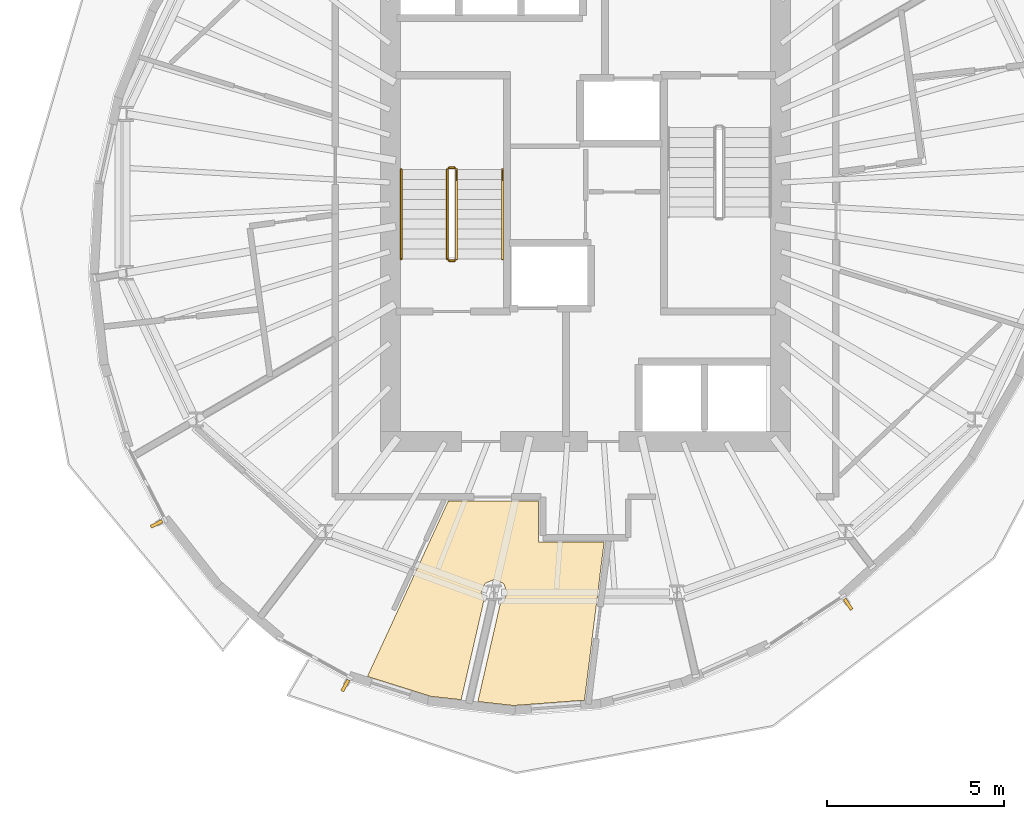
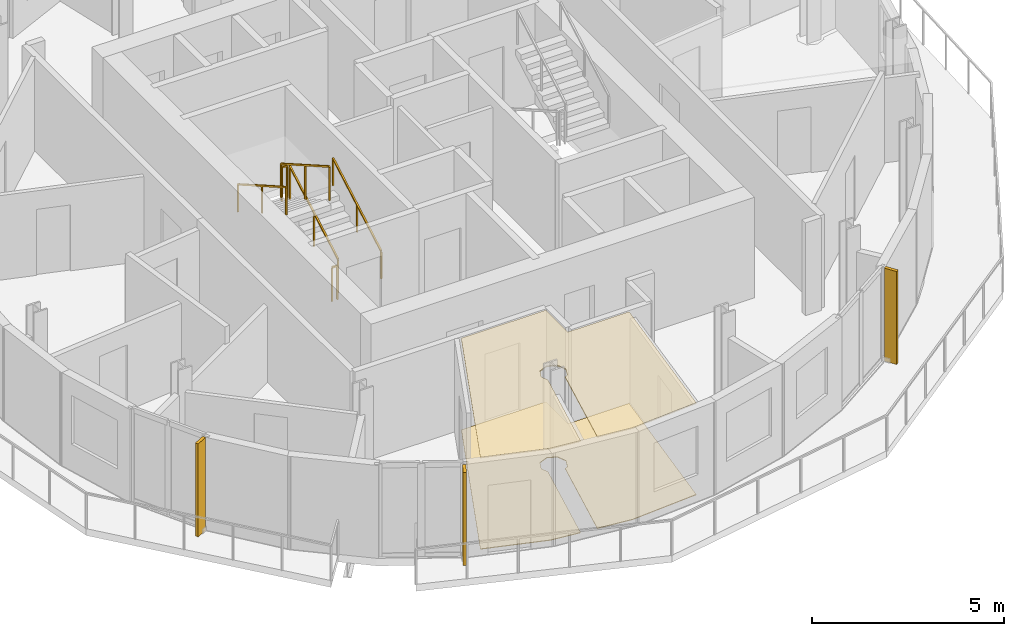
# One storey, part 8 of 11: 6 railings, 3 shading devices, 2 coverings.
"""IFC4 building model written with IfcOpenShell, lengths in metres."""

from ifc_helpers import new_model, si_unit, direction, frame, origin, origin_2d, place, context, subcontext, project, spatial, polyline, rectangle, outline, extrude, material, layer, layer_set, type_object, element, save


model = new_model("IFC4")

# Units and contexts
model_context = context("Model", 3, precision=1e-05, world=origin(), true_north=direction((0.0, 1.0)))
body_context = subcontext(model_context, "Body", "Model", "MODEL_VIEW")
ifc_project = project(units=[si_unit("LENGTHUNIT", "METRE"), si_unit("AREAUNIT", "SQUARE_METRE"), si_unit("VOLUMEUNIT", "CUBIC_METRE"), si_unit("PLANEANGLEUNIT", "RADIAN"), si_unit("MASSUNIT", "GRAM", prefix="KILO")], contexts=[model_context])

# Site, building, storey
site_placement = place(None, origin())
site = spatial("IfcSite", under=ifc_project, at=site_placement, CompositionType="ELEMENT")
building_placement = place(site_placement, origin())
building = spatial("IfcBuilding", under=site, at=building_placement, Name="Veldorim Arch Residences", CompositionType="ELEMENT")
storey_placement = place(building_placement, frame((0.0, 0.0, 220.639892578125)))
storey = spatial("IfcBuildingStorey", under=building, at=storey_placement, Name="L66", CompositionType="ELEMENT", Elevation=220.639892578125)

# Railings
ifc_material_1 = material(Name="Steel S355", Category="steel")
railing_type_1 = type_object("IfcRailingType", Name="Galvanised Steel Stair Safety Guardrail 1100", PredefinedType="GUARDRAIL", material=ifc_material_1)
railing_1_placement = place(storey_placement, frame((28.360107421875, 22.14990234375, 0.16015625)))
element("IfcRailing", 1, at=railing_1_placement, inside=storey, type_object=railing_type_1, Name="L66 ST-1 stair guard 1", PredefinedType="GUARDRAIL", context=body_context, shape_type="SweptSolid", body=[
    extrude(rectangle(XDim=0.048095703125, YDim=0.048095703125, at=origin_2d()), frame((0.0, 0.0, 1.076171875), z_axis=(0.0, 0.868253494771, 0.496120820787), x_axis=(-1.0, 0.0, 0.0)), (0.0, 0.0, 1.0), 2.90234375),
    extrude(rectangle(XDim=0.0419921875, YDim=0.0419921875, at=origin_2d()), origin(), (0.0, 0.0, 1.0), 1.052001953125),
    extrude(rectangle(XDim=0.0419921875, YDim=0.0419921875, at=origin_2d()), frame((0.0, 1.260009765625, 0.719970703125)), (0.0, 0.0, 1.0), 1.052001953125),
    extrude(rectangle(XDim=0.0419921875, YDim=0.0419921875, at=origin_2d()), frame((0.0, 2.52001953125, 1.43994140625)), (0.0, 0.0, 1.0), 1.052001953125),
])
railing_2_placement = place(storey_placement, frame((28.31005859375, 24.719970703125, 1.60009765625)))
element("IfcRailing", 2, at=railing_2_placement, inside=storey, type_object=railing_type_1, Name="L66 ST-1 stair guard 2", PredefinedType="GUARDRAIL", context=body_context, shape_type="SweptSolid", body=[
    extrude(rectangle(XDim=0.048095703125, YDim=0.048095703125, at=origin_2d()), frame((0.0, 0.0, 1.076171875), z_axis=(-1.0, 0.0, 0.0), x_axis=(0.0, -1.0, 0.0)), (0.0, 0.0, 1.0), 0.16015625),
    extrude(rectangle(XDim=0.0419921875, YDim=0.0419921875, at=origin_2d()), origin(), (0.0, 0.0, 1.0), 1.052001953125),
    extrude(rectangle(XDim=0.0419921875, YDim=0.0419921875, at=origin_2d()), frame((-0.16015625, 0.0, 0.0)), (0.0, 0.0, 1.0), 1.052001953125),
])
railing_3_placement = place(storey_placement, frame((28.10009765625, 24.669921875, 1.760009765625)))
element("IfcRailing", 3, at=railing_3_placement, inside=storey, type_object=railing_type_1, Name="L66 ST-1 stair guard 3", PredefinedType="GUARDRAIL", context=body_context, shape_type="SweptSolid", body=[
    extrude(rectangle(XDim=0.048095703125, YDim=0.048095703125, at=origin_2d()), frame((0.0, 0.0, 1.076171875), z_axis=(0.0, -0.868217259934, 0.496184229447), x_axis=(1.0, 0.0, 0.0)), (0.0, 0.0, 1.0), 2.902587890625),
    extrude(rectangle(XDim=0.0419921875, YDim=0.0419921875, at=origin_2d()), origin(), (0.0, 0.0, 1.0), 1.052001953125),
    extrude(rectangle(XDim=0.0419921875, YDim=0.0419921875, at=origin_2d()), frame((0.0, -1.260009765625, 0.72021484375)), (0.0, 0.0, 1.0), 1.052001953125),
    extrude(rectangle(XDim=0.0419921875, YDim=0.0419921875, at=origin_2d()), frame((0.0, -2.52001953125, 1.440185546875)), (0.0, 0.0, 1.0), 1.052001953125),
])
railing_4_placement = place(storey_placement, frame((28.31005859375, 22.10009765625, 0.0)))
element("IfcRailing", 4, at=railing_4_placement, inside=storey, type_object=railing_type_1, Name="L66 ST-1 stair guard 4", PredefinedType="GUARDRAIL", context=body_context, shape_type="SweptSolid", body=[
    extrude(rectangle(XDim=0.048095703125, YDim=0.048095703125, at=origin_2d()), frame((0.0, 0.0, 1.076171875), z_axis=(-1.0, 0.0, 0.0), x_axis=(0.0, -1.0, 0.0)), (0.0, 0.0, 1.0), 0.16015625),
    extrude(rectangle(XDim=0.0419921875, YDim=0.0419921875, at=origin_2d()), origin(), (0.0, 0.0, 1.0), 1.052001953125),
    extrude(rectangle(XDim=0.0419921875, YDim=0.0419921875, at=origin_2d()), frame((-0.16015625, 0.0, 0.0)), (0.0, 0.0, 1.0), 1.052001953125),
])

# Coverings
ifc_material_2 = material(Name="Acoustic Gypsum & Mineral Fibre", Category="gypsum")
ifc_layer_1 = layer(ifc_material_2, 0.034912109375, Name="Perforated Acoustic Mineral-Fibre Ceiling 35")
ifc_layer_set_1 = layer_set([ifc_layer_1], Name="Acoustic Gypsum & Mineral Fibre")
covering_type_1 = type_object("IfcCoveringType", Name="Perforated Acoustic Mineral-Fibre Ceiling 35", PredefinedType="CEILING", material=ifc_layer_set_1)
covering_1_placement = place(storey_placement, frame((0.0, 0.0, 2.905029296875)))
element("IfcCovering", 5, at=covering_1_placement, inside=storey, type_object=covering_type_1, Name="L66 acoustic suspended ceiling 01", PredefinedType="CEILING", context=body_context, shape_type="SweptSolid", body=[
    extrude(outline(polyline([(29.597900390625, 12.443115234375), (29.68603515625, 12.4794921875), (29.794189453125, 12.740478515625), (29.68603515625, 13.001708984375), (29.4248046875, 13.110107421875), (29.16357421875, 13.001708984375), (29.055419921875, 12.740478515625), (29.137939453125, 12.54150390625), (28.492919921875, 9.720703125), (27.63916015625, 9.815673828125), (25.849853515625, 10.37744140625), (28.129150390625, 15.320068359375), (30.679931640625, 15.320068359375), (30.679931640625, 14.169921875), (32.523681640625, 14.169921875), (31.970458984375, 9.707275390625), (29.963134765625, 9.556884765625), (28.96337890625, 9.668212890625), (29.597900390625, 12.443115234375)])), origin(), (0.0, 0.0, 1.0), 0.03515625),
])
ifc_material_3 = material(Name="Porcelain Ceramic Tile", Category="ceramic")
ifc_layer_2 = layer(ifc_material_3, 0.02001953125, Name="Slip-Resistant Porcelain & Vinyl Floor Finish 20")
ifc_layer_set_2 = layer_set([ifc_layer_2], Name="Porcelain Ceramic Tile")
covering_type_2 = type_object("IfcCoveringType", Name="Slip-Resistant Porcelain & Vinyl Floor Finish 20", PredefinedType="FLOORING", material=ifc_layer_set_2)
covering_2_placement = place(storey_placement, origin())
element("IfcCovering", 6, at=covering_2_placement, inside=storey, type_object=covering_type_2, Name="L66 porcelain floor finish 01", PredefinedType="FLOORING", context=body_context, shape_type="SweptSolid", body=[
    extrude(outline(polyline([(29.597900390625, 12.443115234375), (29.68603515625, 12.4794921875), (29.794189453125, 12.740478515625), (29.68603515625, 13.001708984375), (29.4248046875, 13.110107421875), (29.16357421875, 13.001708984375), (29.055419921875, 12.740478515625), (29.137939453125, 12.54150390625), (28.492919921875, 9.720703125), (27.63916015625, 9.815673828125), (25.849853515625, 10.37744140625), (28.129150390625, 15.320068359375), (30.679931640625, 15.320068359375), (30.679931640625, 14.169921875), (32.523681640625, 14.169921875), (31.970458984375, 9.707275390625), (29.963134765625, 9.556884765625), (28.96337890625, 9.668212890625), (29.597900390625, 12.443115234375)])), origin(), (0.0, 0.0, 1.0), 0.02001953125),
])

# Railings
ifc_material_4 = material(Name="Stainless Steel", Category="steel")
railing_type_2 = type_object("IfcRailingType", Name="Tubular Steel Continuous Wall Handrail 900", PredefinedType="HANDRAIL", material=ifc_material_4)
railing_5_placement = place(storey_placement, frame((29.659912109375, 22.14990234375, 0.16015625)))
element("IfcRailing", 7, at=railing_5_placement, inside=storey, type_object=railing_type_2, Name="L66 ST-1 stair handrail 1", PredefinedType="HANDRAIL", context=body_context, shape_type="SweptSolid", body=[
    extrude(rectangle(XDim=0.048095703125, YDim=0.048095703125, at=origin_2d()), frame((0.0, 0.0, 0.8759765625), z_axis=(0.0, 0.868253494771, 0.496120820787), x_axis=(-1.0, 0.0, 0.0)), (0.0, 0.0, 1.0), 2.90234375),
    extrude(rectangle(XDim=0.0419921875, YDim=0.0419921875, at=origin_2d()), origin(), (0.0, 0.0, 1.0), 0.851806640625),
    extrude(rectangle(XDim=0.0419921875, YDim=0.0419921875, at=origin_2d()), frame((0.0, 1.260009765625, 0.719970703125)), (0.0, 0.0, 1.0), 0.851806640625),
    extrude(rectangle(XDim=0.0419921875, YDim=0.0419921875, at=origin_2d()), frame((0.0, 2.52001953125, 1.43994140625)), (0.0, 0.0, 1.0), 0.851806640625),
])
railing_6_placement = place(storey_placement, frame((26.800048828125, 24.669921875, 1.760009765625)))
element("IfcRailing", 8, at=railing_6_placement, inside=storey, type_object=railing_type_2, Name="L66 ST-1 stair handrail 2", PredefinedType="HANDRAIL", context=body_context, shape_type="SweptSolid", body=[
    extrude(rectangle(XDim=0.048095703125, YDim=0.048095703125, at=origin_2d()), frame((0.0, 0.0, 0.8759765625), z_axis=(0.0, -0.868217259934, 0.496184229447), x_axis=(1.0, 0.0, 0.0)), (0.0, 0.0, 1.0), 2.902587890625),
    extrude(rectangle(XDim=0.0419921875, YDim=0.0419921875, at=origin_2d()), origin(), (0.0, 0.0, 1.0), 0.851806640625),
    extrude(rectangle(XDim=0.0419921875, YDim=0.0419921875, at=origin_2d()), frame((0.0, -1.260009765625, 0.72021484375)), (0.0, 0.0, 1.0), 0.851806640625),
    extrude(rectangle(XDim=0.0419921875, YDim=0.0419921875, at=origin_2d()), frame((0.0, -2.52001953125, 1.440185546875)), (0.0, 0.0, 1.0), 0.851806640625),
])

# Shading devices
ifc_material_5 = material(Name="Terracotta Ceramic", Category="masonry")
ifc_layer_3 = layer(ifc_material_5, 0.090087890625, Name="Vertical Extruded Terracotta Baguette Sun-Shading Fin")
ifc_layer_set_3 = layer_set([ifc_layer_3], Name="Terracotta Ceramic")
shading_device_type = type_object("IfcShadingDeviceType", Name="Vertical Extruded Terracotta Baguette Sun-Shading Fin", PredefinedType="USERDEFINED", material=ifc_layer_set_3)
for number, where, z_axis, x_axis, name in (
    (9, (19.90234375, 14.678466796875, 0.000244140625), (0.0, 0.0, 1.0), (-0.457718745382, 0.889097042019, 0.0), "L66 vertical terracotta sun-shading fin 16"),
    (10, (25.2255859375, 10.121337890625, 0.000244140625), (0.0, 0.0, 1.0), (-0.876222584819, 0.481906611132, 0.0), "L66 vertical terracotta sun-shading fin 19"),
    (11, (39.40478515625, 12.41162109375, 0.000244140625), (0.0, 0.0, 1.0), (-0.835135979853, -0.550043539327, 0.0), "L66 vertical terracotta sun-shading fin 25"),
):
    element("IfcShadingDevice", number, at=place(storey_placement, frame(where, z_axis=z_axis, x_axis=x_axis)), inside=storey, type_object=shading_device_type, Name=name, ObjectType="FIN", PredefinedType="USERDEFINED", context=body_context, shape_type="SweptSolid", body=[
        extrude(rectangle(XDim=0.090087890625, YDim=0.360107421875, at=origin_2d()), origin(), (0.0, 0.0, 1.0), 2.9599609375),
    ])

save(model, "model.ifc")
